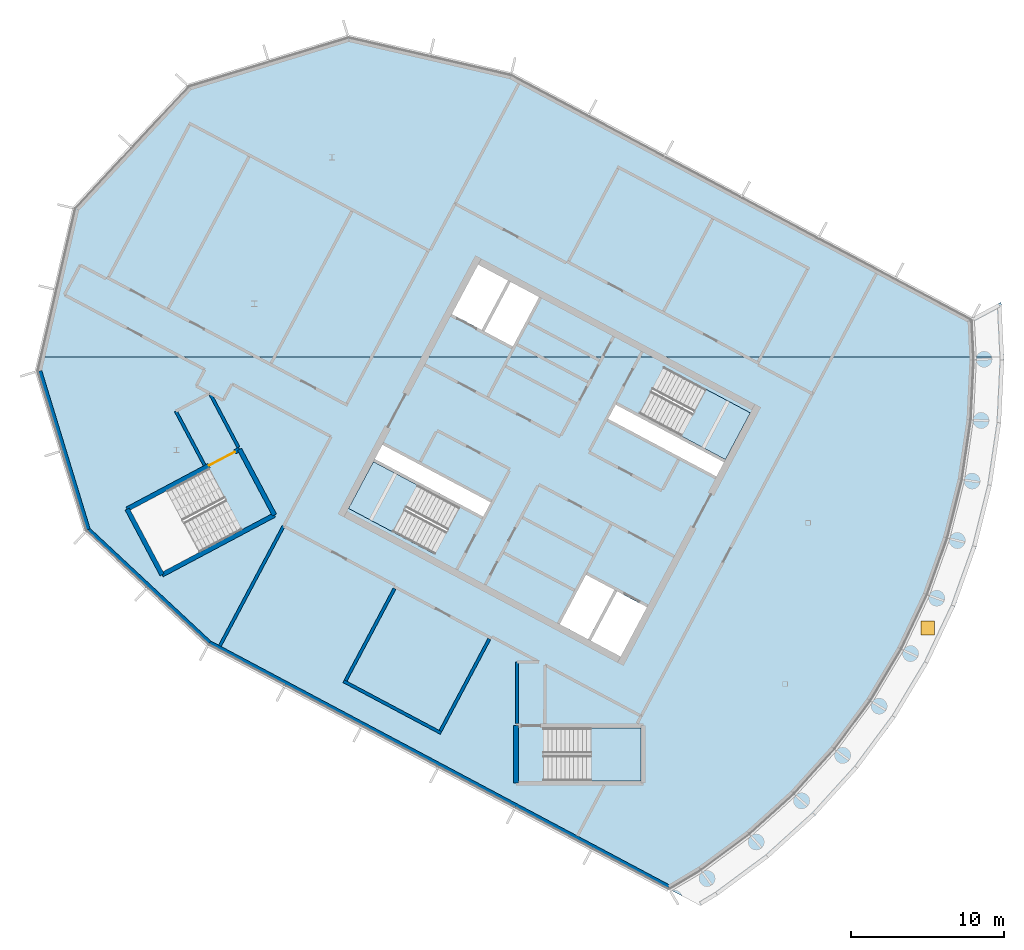
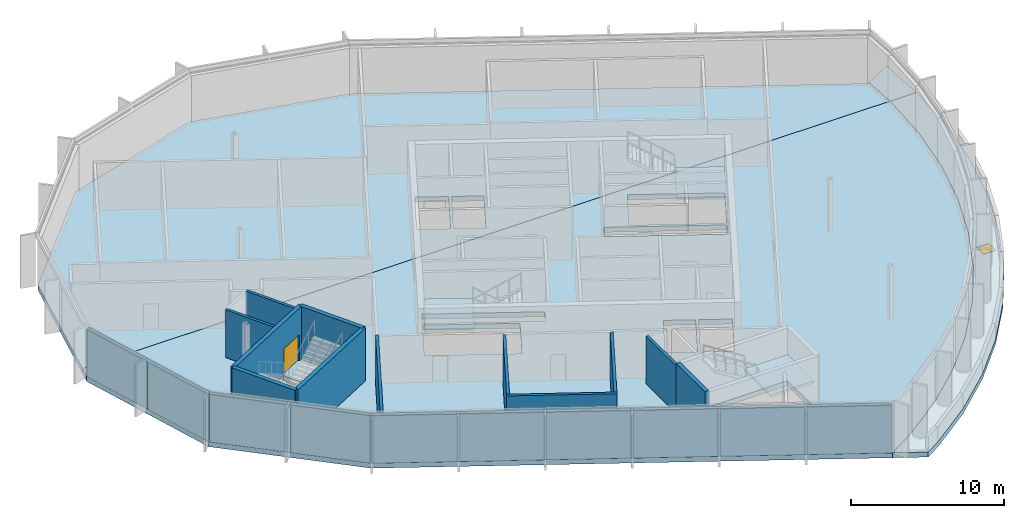
# One storey, part 5 of 16: 15 walls, 7 slabs, 2 doors, 2 openings, 3 elements without a shape of their own.
"""IFC4 building model written with IfcOpenShell, lengths in metres."""

from ifc_helpers import new_model, si_unit, direction, frame, frame_2d, origin, origin_2d, place, context, subcontext, project, spatial, polyline, rectangle, outline, extrude, material, layer, layer_set, type_object, element, fill, aggregate, save


model = new_model("IFC4")

# Units and contexts
model_context = context("Model", 3, precision=1e-05, world=origin(), true_north=direction((0.0, 1.0)))
body_context = subcontext(model_context, "Body", "Model", "MODEL_VIEW")
ifc_project = project(units=[si_unit("LENGTHUNIT", "METRE"), si_unit("AREAUNIT", "SQUARE_METRE"), si_unit("VOLUMEUNIT", "CUBIC_METRE"), si_unit("PLANEANGLEUNIT", "RADIAN"), si_unit("MASSUNIT", "GRAM", prefix="KILO")], contexts=[model_context])

# Site, building, storey
site_placement = place(None, origin())
site = spatial("IfcSite", under=ifc_project, at=site_placement, CompositionType="ELEMENT")
building_placement = place(site_placement, origin())
building = spatial("IfcBuilding", under=site, at=building_placement, Name="Cormorant Relay Tower", CompositionType="ELEMENT")
storey_placement = place(building_placement, frame((0.0, 0.0, 340.800048828125)))
storey = spatial("IfcBuildingStorey", under=building, at=storey_placement, Name="C4", CompositionType="ELEMENT", Elevation=340.800048828125)

# Slabs
ifc_material_1 = material(Name="Concrete 40 MPa", Category="concrete")
ifc_layer_1 = layer(ifc_material_1, 0.400146484375)
ifc_layer_set_1 = layer_set([ifc_layer_1], Name="Crown floor slab 400")
slab_type_1 = type_object("IfcSlabType", Name="Crown floor slab 400", PredefinedType="FLOOR", material=ifc_layer_set_1)
slab_1_placement = place(storey_placement, frame((0.0, 0.0, -0.400146484375)))
element("IfcSlab", 1, at=slab_1_placement, inside=storey, type_object=slab_type_1, Name="Crown floor C4", PredefinedType="FLOOR", context=body_context, shape_type="SweptSolid", body=[
    extrude(outline(polyline([(-19.579833984375, -13.373291015625), (-17.509765625, -12.132568359375), (-14.35693359375, -9.794189453125), (-11.448486328125, -7.158203125), (-8.812255859375, -4.24951171875), (-6.473876953125, -1.0966796875), (-4.455810546875, 2.2705078125), (-2.777587890625, 5.81884765625), (-1.455078125, 9.514892578125), (-0.501220703125, 13.322509765625), (0.07470703125, 17.20556640625), (0.267333984375, 21.126220703125), (0.2587890625, 21.300048828125), (-60.510498046875, 21.300048828125), (-60.7197265625, 20.393310546875), (-57.541748046875, 9.997802734375), (-49.591552734375, 2.584228515625), (-19.579833984375, -13.373291015625)]), holes=[polyline([(-21.39990234375, -2.875), (-27.75, -2.875), (-27.75, -6.324951171875), (-21.39990234375, -6.324951171875), (-21.39990234375, -2.875)]), polyline([(-22.95458984375, 6.03271484375), (-24.668212890625, 2.81005859375), (-22.725830078125, 1.777099609375), (-21.01220703125, 5.0), (-23.04296875, 6.07958984375), (-22.95458984375, 6.03271484375)]), polyline([(-24.985595703125, 7.112548828125), (-26.69921875, 3.889892578125), (-24.844970703125, 2.90380859375), (-23.13134765625, 6.126708984375), (-23.04296875, 6.07958984375), (-24.985595703125, 7.112548828125)]), polyline([(-54.69970703125, 11.330810546875), (-52.563720703125, 7.3134765625), (-47.442626953125, 10.036376953125), (-49.57861328125, 14.0537109375), (-54.69970703125, 11.330810546875)]), polyline([(-38.847900390625, 14.483154296875), (-40.46728515625, 11.43701171875), (-34.860595703125, 8.455810546875), (-33.240966796875, 11.502197265625), (-38.847900390625, 14.483154296875)]), polyline([(-31.690185546875, 10.904052734375), (-31.197265625, 11.8310546875), (-38.260986328125, 15.5869140625), (-38.75390625, 14.659912109375), (-31.690185546875, 10.904052734375)]), polyline([(-23.052490234375, 18.203125), (-23.54541015625, 17.276123046875), (-16.481689453125, 13.520263671875), (-15.989013671875, 14.447509765625), (-23.052490234375, 18.203125)]), polyline([(-14.275390625, 17.670166015625), (-19.882080078125, 20.6513671875), (-21.501708984375, 17.605224609375), (-15.89501953125, 14.6240234375), (-14.275390625, 17.670166015625)])]), origin(), (0.0, 0.0, 1.0), 0.400146484375),
])
slab_2_placement = place(storey_placement, frame((0.0, 0.0, -0.400146484375)))
element("IfcSlab", 2, at=slab_2_placement, inside=storey, type_object=slab_type_1, Name="Crown floor C4", PredefinedType="FLOOR", context=body_context, shape_type="SweptSolid", body=[
    extrude(outline(polyline([(-60.510498046875, 21.300048828125), (0.2587890625, 21.300048828125), (0.13330078125, 23.85498046875), (0.0, 23.783935546875), (-29.873779296875, 39.668212890625), (-40.465576171875, 42.11328125), (-50.86083984375, 38.935302734375), (-58.2744140625, 30.985107421875), (-60.510498046875, 21.300048828125)]), holes=[polyline([(-29.75732421875, 21.99462890625), (-28.043701171875, 25.217529296875), (-29.89794921875, 26.203369140625), (-31.611572265625, 22.980712890625), (-29.75732421875, 21.99462890625)]), polyline([(-33.73046875, 24.107421875), (-31.7880859375, 23.074462890625), (-30.074462890625, 26.29736328125), (-32.01708984375, 27.330078125), (-33.73046875, 24.107421875)])]), origin(), (0.0, 0.0, 1.0), 0.400146484375),
])

# Slab, opening, door
ifc_material_2 = material(Name="Concrete 40 MPa", Category="concrete")
ifc_layer_2 = layer(ifc_material_2, 0.400146484375)
ifc_layer_set_2 = layer_set([ifc_layer_2], Name="Crown terrace roof slab 400")
slab_type_2 = type_object("IfcSlabType", Name="Crown terrace roof slab 400", PredefinedType="ROOF", material=ifc_layer_set_2)
slab_3_placement = place(storey_placement, frame((0.0, 0.0, -0.400146484375)))
slab_3 = element("IfcSlab", 3, at=slab_3_placement, inside=storey, type_object=slab_type_2, Name="Roof C3", PredefinedType="ROOF", context=body_context, shape_type="SweptSolid", body=[
    extrude(outline(polyline([(-17.520751953125, -14.468017578125), (-16.398681640625, -13.79541015625), (-13.088134765625, -11.340087890625), (-10.0341796875, -8.572265625), (-7.26611328125, -5.518310546875), (-4.810791015625, -2.207763671875), (-2.69189453125, 1.32763671875), (-0.9296875, 5.053466796875), (0.458984375, 8.934326171875), (1.460205078125, 12.932373046875), (2.065185546875, 17.009521484375), (2.267333984375, 21.126220703125), (2.2587890625, 21.300048828125), (0.259765625, 21.300048828125), (0.268310546875, 21.126220703125), (0.268310546875, 21.126220703125), (0.07568359375, 17.20556640625), (0.07568359375, 17.205322265625), (-0.500244140625, 13.322509765625), (-0.500244140625, 13.322509765625), (-1.4541015625, 9.5146484375), (-1.4541015625, 9.514404296875), (-2.776611328125, 5.818603515625), (-2.776611328125, 5.818603515625), (-4.454833984375, 2.27001953125), (-4.454833984375, 2.269775390625), (-6.472900390625, -1.09716796875), (-6.47314453125, -1.09716796875), (-8.811279296875, -4.25), (-8.8115234375, -4.250244140625), (-11.447509765625, -7.15869140625), (-11.44775390625, -7.15869140625), (-14.356201171875, -9.794921875), (-14.356201171875, -9.794921875), (-17.50927734375, -12.13330078125), (-17.50927734375, -12.13330078125), (-19.57861328125, -13.373779296875), (-17.520751953125, -14.468017578125)])), origin(), (0.0, 0.0, 1.0), 0.400146484375),
])
opening_1_placement = place(slab_3_placement, frame((-2.705078125, 3.635009765625, 0.0)))
opening_1 = element("IfcOpeningElement", 4, at=opening_1_placement, cuts=slab_3, Name="Opening CRD3-003", PredefinedType="OPENING", context=body_context, shape_type="SweptSolid", body=[
    extrude(rectangle(XDim=0.89990234375, YDim=0.89990234375, at=origin_2d()), origin(), (0.0, 0.0, 1.0), 0.400146484375),
])
ifc_material_3 = material(Name="Aluminium hatch", Category="aluminium")
door_type_1 = type_object("IfcDoorType", Name="Roof hatch 900 x 900", OperationType="SINGLE_SWING_LEFT", PredefinedType="TRAPDOOR", material=ifc_material_3)
door_1_placement = place(opening_1_placement, frame((0.0, 0.0, 0.35009765625)))
door_1 = element("IfcDoor", 5, at=door_1_placement, inside=storey, type_object=door_type_1, Name="Maintenance roof hatch", OperationType="SINGLE_SWING_LEFT", OverallHeight=0.89990234375, OverallWidth=0.89990234375, PredefinedType="TRAPDOOR", context=body_context, shape_type="SweptSolid", body=[
    extrude(rectangle(XDim=0.89990234375, YDim=0.89990234375, at=origin_2d()), origin(), (0.0, 0.0, 1.0), 0.050048828125),
])
fill(opening_1, door_1)

# Slab
slab_4_placement = place(storey_placement, frame((0.0, 0.0, -0.400146484375)))
element("IfcSlab", 6, at=slab_4_placement, inside=storey, type_object=slab_type_2, Name="Roof C3", PredefinedType="ROOF", context=body_context, shape_type="SweptSolid", body=[
    extrude(outline(polyline([(0.259765625, 21.300048828125), (2.2587890625, 21.300048828125), (2.08251953125, 24.89111328125), (0.13427734375, 23.855224609375), (0.13427734375, 23.855224609375), (0.13427734375, 23.855224609375), (0.13427734375, 23.85498046875), (0.13427734375, 23.85498046875), (0.13427734375, 23.85498046875), (0.259765625, 21.300048828125)])), origin(), (0.0, 0.0, 1.0), 0.400146484375),
])

# Stair, slab
ifc_material_4 = material(Name="Concrete 40 MPa", Category="concrete")
stair_type = type_object("IfcStairType", Name="Exit stair 1500", PredefinedType="HALF_TURN_STAIR", material=ifc_material_4)
stair_1_placement = place(storey_placement, origin())
stair_1 = element("IfcStair", 7, at=stair_1_placement, inside=storey, type_object=stair_type, Name="C4 Stair", PredefinedType="HALF_TURN_STAIR")
ifc_material_5 = material(Name="Concrete 40 MPa", Category="concrete")
ifc_layer_3 = layer(ifc_material_5, 0.199951171875)
ifc_layer_set_3 = layer_set([ifc_layer_3], Name="Exit stair landing 200")
slab_type_3 = type_object("IfcSlabType", Name="Exit stair landing 200", PredefinedType="LANDING", material=ifc_layer_set_3)
slab_5_placement = place(storey_placement, frame((0.0, 0.0, 1.89990234375)))
slab_5 = element("IfcSlab", 8, at=slab_5_placement, type_object=slab_type_3, Name="A1 landing 1", PredefinedType="LANDING", context=body_context, shape_type="SweptSolid", body=[
    extrude(outline(polyline([(-18.7822265625, 16.1591796875), (-15.89501953125, 14.6240234375), (-14.275390625, 17.670166015625), (-17.16259765625, 19.205322265625), (-18.7822265625, 16.1591796875)])), origin(), (0.0, 0.0, 1.0), 0.199951171875),
])
aggregate(stair_1, [slab_5])

stair_2_placement = place(storey_placement, origin())
stair_2 = element("IfcStair", 9, at=stair_2_placement, inside=storey, type_object=stair_type, Name="C4 Stair", PredefinedType="HALF_TURN_STAIR")
slab_6_placement = place(storey_placement, frame((0.0, 0.0, 1.89990234375)))
slab_6 = element("IfcSlab", 10, at=slab_6_placement, type_object=slab_type_3, Name="A2 landing 1", PredefinedType="LANDING", context=body_context, shape_type="SweptSolid", body=[
    extrude(outline(polyline([(-35.96044921875, 12.947998046875), (-38.84765625, 14.483154296875), (-40.467529296875, 11.43701171875), (-37.580322265625, 9.90185546875), (-35.96044921875, 12.947998046875)])), origin(), (0.0, 0.0, 1.0), 0.199951171875),
])
aggregate(stair_2, [slab_6])

stair_3_placement = place(storey_placement, origin())
stair_3 = element("IfcStair", 11, at=stair_3_placement, inside=storey, type_object=stair_type, Name="C4 Stair", PredefinedType="HALF_TURN_STAIR")
slab_7_placement = place(storey_placement, frame((0.0, 0.0, 1.89990234375)))
slab_7 = element("IfcSlab", 12, at=slab_7_placement, type_object=slab_type_3, Name="RC1 landing 1", PredefinedType="LANDING", context=body_context, shape_type="SweptSolid", body=[
    extrude(outline(polyline([(-24.669921875, -6.324951171875), (-21.39990234375, -6.324951171875), (-21.39990234375, -2.875), (-24.669921875, -2.875), (-24.669921875, -6.324951171875)])), origin(), (0.0, 0.0, 1.0), 0.199951171875),
])
aggregate(stair_3, [slab_7])

# Walls
ifc_material_6 = material(Name="Concrete 30 MPa block wall", Category="concrete")
ifc_layer_4 = layer(ifc_material_6, 0.199951171875)
ifc_layer_set_4 = layer_set([ifc_layer_4], Name="Crown plant room wall 200")
wall_type_1 = type_object("IfcWallType", Name="Crown plant room wall 200", PredefinedType="PARTITIONING", material=ifc_layer_set_4)
wall_1_placement = place(storey_placement, frame((-34.43701171875, -3.208251953125, 0.0), z_axis=(0.0, 0.0, 1.0), x_axis=(-0.882957622595, 0.46945269911, 0.0)))
element("IfcWall", 13, at=wall_1_placement, inside=storey, type_object=wall_type_1, Name="Plant room wall", PredefinedType="PARTITIONING", context=body_context, shape_type="SweptSolid", body=[
    extrude(rectangle(XDim=7.2001953125, YDim=0.199951171875, at=frame_2d((3.60009765625, 0.0))), origin(), (0.0, 0.0, 1.0), 3.7998046875),
])
for number, where, z_axis, x_axis, name in (
    (14, (-31.2861328125, 2.930908203125, 0.0), (0.0, 0.0, 1.0), (-0.469477207229, -0.882944591632, 0.0), "Plant room wall"),
    (15, (-37.466796875, 6.21728515625, 0.0), (0.0, 0.0, 1.0), (-0.469477207229, -0.882944591632, 0.0), "Plant room wall"),
):
    element("IfcWall", number, at=place(storey_placement, frame(where, z_axis=z_axis, x_axis=x_axis)), inside=storey, type_object=wall_type_1, Name=name, PredefinedType="PARTITIONING", context=body_context, shape_type="SweptSolid", body=[
        extrude(rectangle(XDim=6.7998046875, YDim=0.199951171875, at=frame_2d((3.39990234375, 0.0))), origin(), (0.0, 0.0, 1.0), 3.7998046875),
    ])
wall_2_placement = place(storey_placement, frame((-49.510986328125, 18.947509765625, 0.0), z_axis=(0.0, 0.0, 1.0), x_axis=(0.467853974405, -0.883805781059, 0.0)))
element("IfcWall", 16, at=wall_2_placement, inside=storey, type_object=wall_type_1, Name="Plant room wall", PredefinedType="PARTITIONING", context=body_context, shape_type="SweptSolid", body=[
    extrude(rectangle(XDim=3.98876953125, YDim=0.199951171875, at=frame_2d((1.994384765625, 0.0))), origin(), (0.0, 0.0, 1.0), 3.7998046875),
])
for number, where, z_axis, x_axis, name in (
    (17, (-49.851806640625, 14.248291015625, 0.0), (0.0, 0.0, 1.0), (-0.469510728702, 0.882926766858, 0.0), "Plant room wall"),
    (18, (-29.474853515625, -2.574951171875, 0.0), (0.0, 0.0, 1.0), (-6.1038882e-05, 0.999999998137, 0.0), "Plant room wall"),
):
    element("IfcWall", number, at=place(storey_placement, frame(where, z_axis=z_axis, x_axis=x_axis)), inside=storey, type_object=wall_type_1, Name=name, PredefinedType="PARTITIONING", context=body_context, shape_type="SweptSolid", body=[
        extrude(rectangle(XDim=3.999755859375, YDim=0.199951171875, at=frame_2d((2.0, 0.0))), origin(), (0.0, 0.0, 1.0), 3.7998046875),
    ])
wall_3_placement = place(storey_placement, frame((-44.69287109375, 10.30859375, 0.0), z_axis=(0.0, 0.0, 1.0), x_axis=(-0.469467804358, -0.88294959124, 0.0)))
element("IfcWall", 19, at=wall_3_placement, inside=storey, type_object=wall_type_1, Name="Plant room wall", PredefinedType="PARTITIONING", context=body_context, shape_type="SweptSolid", body=[
    extrude(rectangle(XDim=8.86962890625, YDim=0.199951171875, at=frame_2d((4.434814453125, 0.0))), origin(), (0.0, 0.0, 1.0), 3.7998046875),
])
ifc_material_7 = material(Name="Bronze cladding on Concrete 30 MPa block wall", Category="concrete")
ifc_layer_5 = layer(ifc_material_7, 0.25)
ifc_layer_set_5 = layer_set([ifc_layer_5], Name="Crown wall 250")
wall_type_2 = type_object("IfcWallType", Name="Crown wall 250", PredefinedType="STANDARD", material=ifc_layer_set_5)
wall_4_placement = place(storey_placement, frame((-57.431884765625, 10.06640625, 0.0), z_axis=(0.0, 0.0, 1.0), x_axis=(-0.292379862982, 0.956302261695, 0.0)))
element("IfcWall", 20, at=wall_4_placement, inside=storey, type_object=wall_type_2, Name="Crown wall C4", PredefinedType="STANDARD", context=body_context, shape_type="SweptSolid", body=[
    extrude(rectangle(XDim=10.803466796875, YDim=0.25, at=frame_2d((5.40185546875, 0.0))), origin(), (0.0, 0.0, 1.0), 3.7998046875),
])
wall_5_placement = place(storey_placement, frame((-19.58349609375, -13.229736328125, 0.0), z_axis=(0.0, 0.0, 1.0), x_axis=(-0.882946066168, 0.469474434063, 0.0)))
element("IfcWall", 21, at=wall_5_placement, inside=storey, type_object=wall_type_2, Name="Crown wall C4", PredefinedType="STANDARD", context=body_context, shape_type="SweptSolid", body=[
    extrude(rectangle(XDim=33.9033203125, YDim=0.25, at=frame_2d((16.95166015625, 0.0))), origin(), (0.0, 0.0, 1.0), 3.7998046875),
])
wall_6_placement = place(storey_placement, frame((-49.518310546875, 2.68701171875, 0.0), z_axis=(0.0, 0.0, 1.0), x_axis=(-0.731359823822, 0.681991794745, 0.0)))
element("IfcWall", 22, at=wall_6_placement, inside=storey, type_object=wall_type_2, Name="Crown wall C4", PredefinedType="STANDARD", context=body_context, shape_type="SweptSolid", body=[
    extrude(rectangle(XDim=10.8203125, YDim=0.25, at=frame_2d((5.41015625, 0.0))), origin(), (0.0, 0.0, 1.0), 3.7998046875),
])
ifc_material_8 = material(Name="Concrete 50 MPa", Category="concrete")
ifc_layer_6 = layer(ifc_material_8, 0.300048828125)
ifc_layer_set_6 = layer_set([ifc_layer_6], Name="Remote stair wall 300")
wall_type_3 = type_object("IfcWallType", Name="Remote stair wall 300", PredefinedType="SHEAR", material=ifc_layer_set_6)
wall_7_placement = place(storey_placement, frame((-47.57421875, 15.28955078125, 0.0), z_axis=(0.0, 0.0, 1.0), x_axis=(0.469443498566, -0.882962514297, 0.0)))
element("IfcWall", 23, at=wall_7_placement, inside=storey, type_object=wall_type_3, Name="C4 exit stair RP1 wall", PredefinedType="SHEAR", context=body_context, shape_type="SweptSolid", body=[
    extrude(rectangle(XDim=4.85009765625, YDim=0.300048828125, at=frame_2d((2.425048828125, 0.0))), origin(), (0.0, 0.0, 1.0), 4.199951171875),
])
wall_8_placement = place(storey_placement, frame((-45.29736328125, 11.007080078125, 0.0), z_axis=(0.0, 0.0, 1.0), x_axis=(-0.882951519127, -0.469464178475, 0.0)))
element("IfcWall", 24, at=wall_8_placement, inside=storey, type_object=wall_type_3, Name="C4 exit stair RP1 wall", PredefinedType="SHEAR", context=body_context, shape_type="SweptSolid", body=[
    extrude(rectangle(XDim=8.2998046875, YDim=0.300048828125, at=frame_2d((4.14990234375, 0.0))), origin(), (0.0, 0.0, 1.0), 4.199951171875),
])
wall_9_placement = place(storey_placement, frame((-52.625732421875, 7.110595703125, 0.0), z_axis=(0.0, 0.0, 1.0), x_axis=(-0.469464364128, 0.882951420416, 0.0)))
element("IfcWall", 25, at=wall_9_placement, inside=storey, type_object=wall_type_3, Name="C4 exit stair RP1 wall", PredefinedType="SHEAR", context=body_context, shape_type="SweptSolid", body=[
    extrude(rectangle(XDim=4.849853515625, YDim=0.300048828125, at=frame_2d((2.4248046875, 0.0))), origin(), (0.0, 0.0, 1.0), 4.199951171875),
])

# Wall, opening, door
wall_10_placement = place(storey_placement, frame((-54.902587890625, 11.392822265625, 0.0), z_axis=(0.0, 0.0, 1.0), x_axis=(0.882939326045, 0.469487110071, 0.0)))
wall_10 = element("IfcWall", 26, at=wall_10_placement, inside=storey, type_object=wall_type_3, Name="C4 exit stair RP1 wall", PredefinedType="SHEAR", context=body_context, shape_type="SweptSolid", body=[
    extrude(rectangle(XDim=8.300048828125, YDim=0.300048828125, at=frame_2d((4.14990234375, 0.0))), origin(), (0.0, 0.0, 1.0), 4.199951171875),
])
opening_2_placement = place(wall_10_placement, frame((6.050048828125, 0.0, 0.0)))
opening_2 = element("IfcOpeningElement", 27, at=opening_2_placement, cuts=wall_10, Name="Opening CDE-018", PredefinedType="OPENING", context=body_context, shape_type="SweptSolid", body=[
    extrude(rectangle(XDim=1.89990234375, YDim=2.10009765625, at=frame_2d((0.949951171875, 1.050048828125))), frame((0.0, 0.159912109375, 0.0), z_axis=(0.0, -1.0, 0.0), x_axis=(1.0, 0.0, 0.0)), (0.0, 0.0, 1.0), 0.320068359375),
])
ifc_material_9 = material(Name="Steel fire door", Category="steel")
door_type_2 = type_object("IfcDoorType", Name="Remote stair door 1900x2100", OperationType="DOUBLE_DOOR_SINGLE_SWING", PredefinedType="DOOR", material=ifc_material_9)
door_2_placement = place(opening_2_placement, origin())
door_2 = element("IfcDoor", 28, at=door_2_placement, inside=storey, type_object=door_type_2, Name="Exit stair RP1 door", OperationType="DOUBLE_DOOR_SINGLE_SWING", OverallHeight=2.10009765625, OverallWidth=1.89990234375, PredefinedType="DOOR", context=body_context, shape_type="SweptSolid", body=[
    extrude(rectangle(XDim=1.89990234375, YDim=2.10009765625, at=frame_2d((0.949951171875, 1.050048828125))), frame((0.0, 0.02490234375, 0.0), z_axis=(0.0, -1.0, 0.0), x_axis=(1.0, 0.0, 0.0)), (0.0, 0.0, 1.0), 0.050048828125),
])
fill(opening_2, door_2)

# Wall
wall_11_placement = place(storey_placement, frame((-29.550048828125, -6.47509765625, 0.0), z_axis=(0.0, 0.0, 1.0), x_axis=(0.0, 1.0, 0.0)))
element("IfcWall", 29, at=wall_11_placement, inside=storey, type_object=wall_type_3, Name="C4 exit stair RC1 wall", PredefinedType="SHEAR", context=body_context, shape_type="SweptSolid", body=[
    extrude(rectangle(XDim=3.75, YDim=0.300048828125, at=frame_2d((1.875, 0.0))), origin(), (0.0, 0.0, 1.0), 4.199951171875),
])

save(model, "model.ifc")
